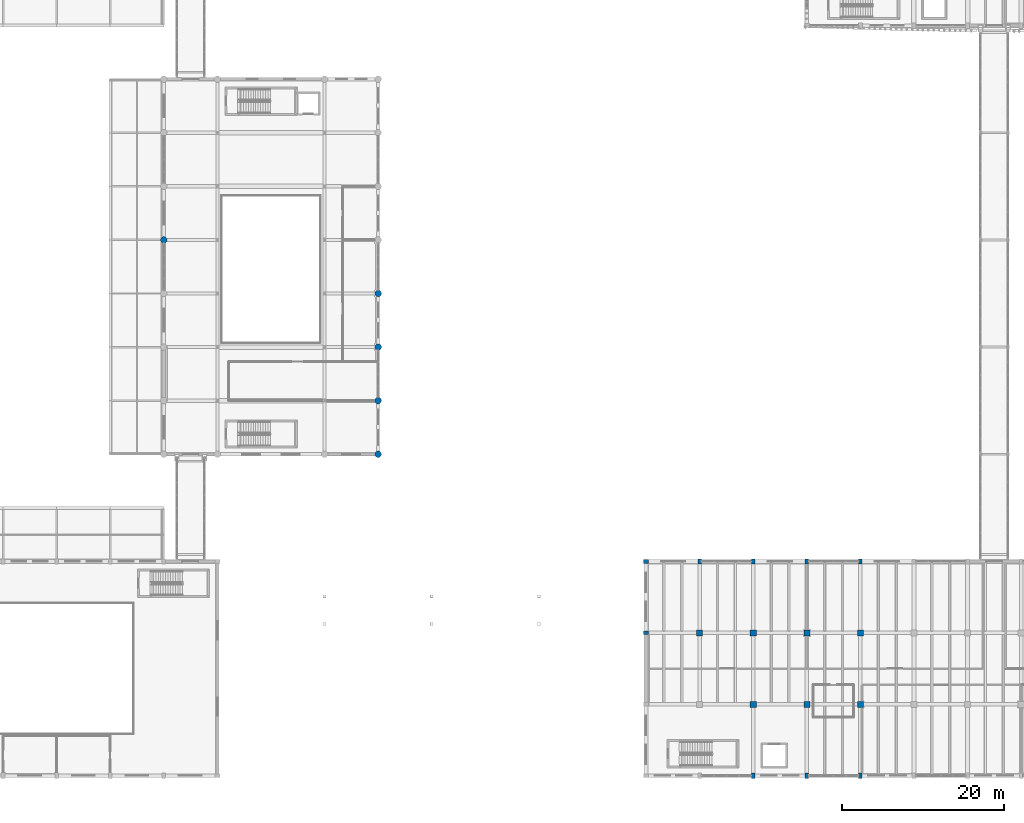
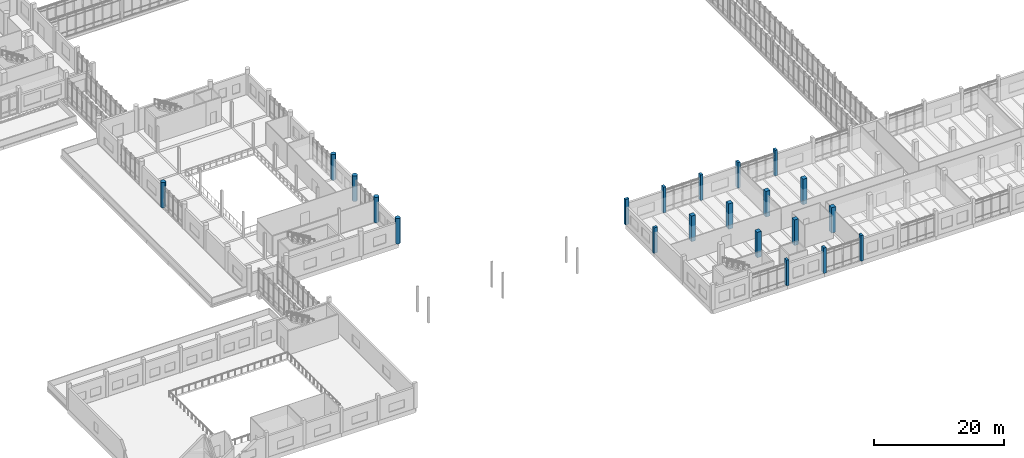
# One storey, part 5 of 125: 21 columns.
"""IFC4 building model written with IfcOpenShell, lengths in metres."""

import ifcopenshell
import ifcopenshell.guid

model = None  # the IFC model being written
_history = None  # IfcOwnerHistory: only IFC2X3 demands one
_inside = {}  # id of a spatial element -> (the spatial element, [elements in it])
_under = {}  # id of a project, library or spatial element -> (it, [spatial elements below it])
_declared = {}  # id of a project -> (the project, [libraries it declares])
_typed = {}  # id of a type object -> (the type object, [elements of that type])
_made_of = {}  # id of a material, layer set ... -> (it, [elements and type objects made of it])


def new_model(schema):
    """Start an empty IFC model of exactly this schema.

    Asked for "IFC4X3", IfcOpenShell would pick the latest addendum, in which some entities
    have other attributes; the version numbers below select the first issue.
    IFC2X3 requires an IfcOwnerHistory on every rooted entity: one is made here for all.
    """
    global model, _history
    if schema == "IFC4X3":
        model = ifcopenshell.file(schema_version=(4, 3, 0, 0))
    else:
        model = ifcopenshell.file(schema=schema)
    _inside.clear()
    _under.clear()
    _declared.clear()
    _typed.clear()
    _made_of.clear()
    _history = None
    if model.schema == "IFC2X3":
        org = make("IfcOrganization", Name="unknown")
        user = make(
            "IfcPersonAndOrganization",
            ThePerson=make("IfcPerson", FamilyName="unknown"),
            TheOrganization=org,
        )
        app = make(
            "IfcApplication",
            ApplicationDeveloper=org,
            Version="unknown",
            ApplicationFullName="unknown",
            ApplicationIdentifier="unknown",
        )
        _history = make(
            "IfcOwnerHistory",
            OwningUser=user,
            OwningApplication=app,
            ChangeAction="ADDED",
            CreationDate=0,
        )
    return model


def make(cls, **values):
    """One entity of the class cls with the attributes given. An attribute that is None is left unset."""
    return model.create_entity(
        cls, **{name: value for name, value in values.items() if value is not None}
    )


def rooted(cls, **values):
    """An entity with a GlobalId (a new one), such as an element, a storey or a relation."""
    return make(cls, GlobalId=ifcopenshell.guid.new(), OwnerHistory=_history, **values)


def si_unit(unit_type, name, prefix=None):
    """IfcSIUnit, for example si_unit("LENGTHUNIT", "METRE", prefix="MILLI")."""
    return make("IfcSIUnit", UnitType=unit_type, Prefix=prefix, Name=name)


def assignment(units):
    """IfcUnitAssignment: the units of a project."""
    return None if units is None else make("IfcUnitAssignment", Units=units)


def point(xyz):
    """IfcCartesianPoint."""
    return None if xyz is None else make("IfcCartesianPoint", Coordinates=xyz)


def direction(xyz):
    """IfcDirection."""
    return None if xyz is None else make("IfcDirection", DirectionRatios=xyz)


def frame(location, z_axis=None, x_axis=None):
    """IfcAxis2Placement3D, a coordinate frame: its origin and axes. An axis left out is left unset."""
    return make(
        "IfcAxis2Placement3D",
        Location=point(location),
        Axis=direction(z_axis),
        RefDirection=direction(x_axis),
    )


def frame_2d(location, x_axis=None):
    """IfcAxis2Placement2D, a coordinate frame in the plane: its origin and x axis."""
    return make(
        "IfcAxis2Placement2D", Location=point(location), RefDirection=direction(x_axis)
    )


def origin():
    """The frame at (0, 0, 0) with its axes left unset."""
    return frame((0.0, 0.0, 0.0))


def origin_2d():
    """The frame at (0, 0) in the plane with its x axis left unset."""
    return frame_2d((0.0, 0.0))


def place(relative_to, where):
    """IfcLocalPlacement: puts the frame where relative to a parent placement (None: the world)."""
    return make(
        "IfcLocalPlacement", PlacementRelTo=relative_to, RelativePlacement=where
    )


def context(
    kind, dimensions, precision=None, world=None, true_north=None, identifier=None
):
    """IfcGeometricRepresentationContext, for example the 3D "Model" context."""
    return make(
        "IfcGeometricRepresentationContext",
        ContextIdentifier=identifier,
        ContextType=kind,
        CoordinateSpaceDimension=dimensions,
        Precision=precision,
        WorldCoordinateSystem=world,
        TrueNorth=true_north,
    )


def subcontext(parent, identifier, kind, view, scale=None):
    """IfcGeometricRepresentationSubContext, for example "Body" below "Model"."""
    return make(
        "IfcGeometricRepresentationSubContext",
        ContextIdentifier=identifier,
        ContextType=kind,
        ParentContext=parent,
        TargetScale=scale,
        TargetView=view,
    )


def project(units=None, contexts=None):
    """IfcProject with its units and contexts."""
    return rooted(
        "IfcProject",
        Name="project",
        RepresentationContexts=contexts,
        UnitsInContext=assignment(units),
    )


def spatial(cls, under=None, at=None, **own):
    """A site, building, storey or space (cls), placed at a placement, below another one or the project."""
    s = rooted(cls, ObjectPlacement=at, **own)
    if under is not None:
        _under.setdefault(under.id(), (under, []))[1].append(s)
    return s


def profile(cls, at=None, kind="AREA", **sizes):
    """A parametric profile (cls). Its sizes go by their IFC names, for example OverallWidth=200.0."""
    return make(cls, ProfileType=kind, Position=at, **sizes)


def rectangle(**sizes):
    """IfcRectangleProfileDef."""
    return profile("IfcRectangleProfileDef", **sizes)


def circle(**sizes):
    """IfcCircleProfileDef."""
    return profile("IfcCircleProfileDef", **sizes)


def extrude(swept, where, along, depth):
    """IfcExtrudedAreaSolid: the profile swept, set in the frame where, extruded along a direction by depth."""
    return make(
        "IfcExtrudedAreaSolid",
        SweptArea=swept,
        Position=where,
        ExtrudedDirection=direction(along),
        Depth=depth,
    )


def shape(context_of_items, identifier, shape_type, items):
    """IfcShapeRepresentation: the items that make up one representation, for example the "Body"."""
    return make(
        "IfcShapeRepresentation",
        ContextOfItems=context_of_items,
        RepresentationIdentifier=identifier,
        RepresentationType=shape_type,
        Items=items,
    )


def material(Name=None, Category=None):
    """IfcMaterial."""
    return make("IfcMaterial", Name=Name, Category=Category)


def material_profile(
    of_material, cross_section, Name=None, Category=None, Priority=None
):
    """IfcMaterialProfile: a cross section and its material."""
    return make(
        "IfcMaterialProfile",
        Name=Name,
        Material=of_material,
        Profile=cross_section,
        Priority=Priority,
        Category=Category,
    )


def profile_set(profiles, Name=None, composite=None):
    """IfcMaterialProfileSet."""
    return make(
        "IfcMaterialProfileSet",
        Name=Name,
        MaterialProfiles=profiles,
        CompositeProfile=composite,
    )


def made_of(thing, what):
    """Note that an element or type object is made of a material, layer set ...; save() writes the relation."""
    if what is not None:
        _made_of.setdefault(what.id(), (what, []))[1].append(thing)
    return thing


def type_object(cls, material=None, **own):
    """A type object (cls), such as IfcWallType, which elements share."""
    return made_of(rooted(cls, **own), material)


def element(
    cls,
    number,
    at=None,
    inside=None,
    cuts=None,
    type_object=None,
    material=None,
    context=None,
    identifier="Body",
    shape_type=None,
    held_by="IfcProductDefinitionShape",
    body=None,
    shapes=None,
    **own,
):
    """One element of the class cls, such as IfcWall. Its Tag is "e" and its number.

    at: its placement. inside: the storey or other place that contains it. cuts: it is an
    opening in that element (IfcRelVoidsElement). A single representation is given by context,
    identifier, shape_type and body (its items); several are given by shapes. held_by: the class
    of the entity that holds the representations. save() writes the other relations.
    """
    e = rooted(cls, Tag="e%d" % number, ObjectPlacement=at, **own)
    if body is not None:
        shapes = [shape(context, identifier, shape_type, body)]
    if shapes is not None:
        e.Representation = make(held_by, Representations=shapes)
    if inside is not None:
        _inside.setdefault(inside.id(), (inside, []))[1].append(e)
    if cuts is not None:
        rooted(
            "IfcRelVoidsElement", RelatingBuildingElement=cuts, RelatedOpeningElement=e
        )
    if type_object is not None:
        _typed.setdefault(type_object.id(), (type_object, []))[1].append(e)
    return made_of(e, material)


def aggregate(whole, parts):
    """IfcRelAggregates: a whole, such as a stair, and the parts it consists of."""
    return rooted("IfcRelAggregates", RelatingObject=whole, RelatedObjects=parts)


def save(model, path):
    """Write the relations noted so far, then the file.

    IfcRelAggregates (storeys below a building ...), IfcRelContainedInSpatialStructure (elements
    in a storey), IfcRelDefinesByType, IfcRelAssociatesMaterial and IfcRelDeclares: one each for
    every whole, place, type object, material and project.
    """
    for whole, parts in _under.values():
        aggregate(whole, parts)
    for where, things in _inside.values():
        rooted(
            "IfcRelContainedInSpatialStructure",
            RelatedElements=things,
            RelatingStructure=where,
        )
    for kind, things in _typed.values():
        rooted("IfcRelDefinesByType", RelatedObjects=things, RelatingType=kind)
    for what, things in _made_of.values():
        rooted("IfcRelAssociatesMaterial", RelatedObjects=things, RelatingMaterial=what)
    for by, libraries in _declared.values():
        rooted("IfcRelDeclares", RelatingContext=by, RelatedDefinitions=libraries)
    model.write(path)


model = new_model("IFC4")

# Units and contexts
model_context = context("Model", 3, precision=1e-05, world=origin(), true_north=direction((0.0, 1.0)))
body_context = subcontext(model_context, "Body", "Model", "MODEL_VIEW")
ifc_project = project(units=[si_unit("LENGTHUNIT", "METRE"), si_unit("AREAUNIT", "SQUARE_METRE"), si_unit("VOLUMEUNIT", "CUBIC_METRE"), si_unit("PLANEANGLEUNIT", "RADIAN"), si_unit("MASSUNIT", "GRAM", prefix="KILO")], contexts=[model_context])

# Site, building, storey
site_placement = place(None, origin())
site = spatial("IfcSite", under=ifc_project, at=site_placement, CompositionType="ELEMENT")
building_placement = place(site_placement, origin())
building = spatial("IfcBuilding", under=site, at=building_placement, Name="Dornvale Research Institute", CompositionType="ELEMENT")
storey_placement = place(building_placement, frame((0.0, 0.0, 5.39990234375)))
storey = spatial("IfcBuildingStorey", under=building, at=storey_placement, Name="L01", CompositionType="ELEMENT", Elevation=5.39990234375)

# Columns
ifc_material_1 = material(Name="Concrete f'c 50 MPa (C40/50)", Category="concrete")
ifc_material_profile_1 = material_profile(ifc_material_1, rectangle(XDim=0.75, YDim=0.75, at=origin_2d()), Name="RC 750x750")
ifc_profile_set_1 = profile_set([ifc_material_profile_1], Name="Concrete f'c 50 MPa (C40/50)")
column_type_1 = type_object("IfcColumnType", Name="Column_RC750", PredefinedType="COLUMN", material=ifc_profile_set_1)
for number, where, z_axis, x_axis, name in (
    (1, (105.60009765625, 17.60009765625, 0.0), (0.0, 0.0, 1.0), (1.0, 0.0, 0.0), "L01 column #836"),
    (2, (112.199951171875, 8.800048828125, 0.0), (0.0, 0.0, 1.0), (1.0, 0.0, 0.0), "L01 column #839"),
    (3, (112.199951171875, 17.60009765625, 0.0), (0.0, 0.0, 1.0), (1.0, 0.0, 0.0), "L01 column #840"),
    (4, (118.800048828125, 8.800048828125, 0.0), (0.0, 0.0, 1.0), (1.0, 0.0, 0.0), "L01 column #843"),
    (5, (118.800048828125, 17.60009765625, 0.0), (0.0, 0.0, 1.0), (1.0, 0.0, 0.0), "L01 column #844"),
    (6, (125.39990234375, 8.800048828125, 0.0), (0.0, 0.0, 1.0), (1.0, 0.0, 0.0), "L01 column #847"),
    (7, (125.39990234375, 17.60009765625, 0.0), (0.0, 0.0, 1.0), (1.0, 0.0, 0.0), "L01 column #848"),
):
    element("IfcColumn", number, at=place(storey_placement, frame(where, z_axis=z_axis, x_axis=x_axis)), inside=storey, type_object=column_type_1, Name=name, PredefinedType="COLUMN", context=body_context, shape_type="SweptSolid", body=[
        extrude(rectangle(XDim=0.75, YDim=0.75, at=origin_2d()), origin(), (0.0, 0.0, 1.0), 4.800048828125),
    ])
ifc_material_2 = material(Name="Concrete f'c 45 MPa (C35/45)", Category="concrete")
ifc_material_profile_2 = material_profile(ifc_material_2, circle(Radius=0.39990234375, at=origin_2d()), Name="RC DIA 800")
ifc_profile_set_2 = profile_set([ifc_material_profile_2], Name="Concrete f'c 45 MPa (C35/45)")
column_type_2 = type_object("IfcColumnType", Name="Column_RCDia800_Ext", PredefinedType="COLUMN", material=ifc_profile_set_2)
for number, where, z_axis, x_axis, name in (
    (8, (39.60009765625, 66.0, 0.0), (0.0, 0.0, 1.0), (1.0, 0.0, 0.0), "L01 column #1054"),
    (9, (66.0, 39.60009765625, 0.0), (0.0, 0.0, 1.0), (1.0, 0.0, 0.0), "L01 column #1074"),
    (10, (66.0, 46.199951171875, 0.0), (0.0, 0.0, 1.0), (1.0, 0.0, 0.0), "L01 column #1075"),
    (11, (66.0, 52.800048828125, 0.0), (0.0, 0.0, 1.0), (1.0, 0.0, 0.0), "L01 column #1076"),
    (12, (66.0, 59.39990234375, 0.0), (0.0, 0.0, 1.0), (1.0, 0.0, 0.0), "L01 column #1077"),
):
    element("IfcColumn", number, at=place(storey_placement, frame(where, z_axis=z_axis, x_axis=x_axis)), inside=storey, type_object=column_type_2, Name=name, PredefinedType="COLUMN", context=body_context, shape_type="SweptSolid", body=[
        extrude(circle(Radius=0.39990234375, at=origin_2d()), origin(), (0.0, 0.0, 1.0), 4.800048828125),
    ])
ifc_material_3 = material(Name="Concrete f'c 45 MPa (C35/45)", Category="concrete")
ifc_material_profile_3 = material_profile(ifc_material_3, rectangle(XDim=0.449951171875, YDim=0.64990234375, at=origin_2d()), Name="RC 450x650")
ifc_profile_set_3 = profile_set([ifc_material_profile_3], Name="Concrete f'c 45 MPa (C35/45)")
column_type_3 = type_object("IfcColumnType", Name="Pilaster_RC450x650_Ext", PredefinedType="PILASTER", material=ifc_profile_set_3)
for number, where, z_axis, x_axis, name in (
    (13, (99.0, 17.60009765625, 0.0), (0.0, 0.0, 1.0), (0.0, 1.0, 0.0), "L01 column #832"),
    (14, (99.0, 26.39990234375, 0.0), (0.0, 0.0, 1.0), (0.0, 1.0, 0.0), "L01 column #833"),
    (15, (105.60009765625, 26.39990234375, 0.0), (0.0, 0.0, 1.0), (1.0, 0.0, 0.0), "L01 column #837"),
    (16, (112.199951171875, 0.0, 0.0), (0.0, 0.0, 1.0), (1.0, 0.0, 0.0), "L01 column #838"),
    (17, (112.199951171875, 26.39990234375, 0.0), (0.0, 0.0, 1.0), (1.0, 0.0, 0.0), "L01 column #841"),
    (18, (118.800048828125, 0.0, 0.0), (0.0, 0.0, 1.0), (1.0, 0.0, 0.0), "L01 column #842"),
    (19, (118.800048828125, 26.39990234375, 0.0), (0.0, 0.0, 1.0), (1.0, 0.0, 0.0), "L01 column #845"),
    (20, (125.39990234375, 0.0, 0.0), (0.0, 0.0, 1.0), (1.0, 0.0, 0.0), "L01 column #846"),
    (21, (125.39990234375, 26.39990234375, 0.0), (0.0, 0.0, 1.0), (1.0, 0.0, 0.0), "L01 column #849"),
):
    element("IfcColumn", number, at=place(storey_placement, frame(where, z_axis=z_axis, x_axis=x_axis)), inside=storey, type_object=column_type_3, Name=name, PredefinedType="PILASTER", context=body_context, shape_type="SweptSolid", body=[
        extrude(rectangle(XDim=0.449951171875, YDim=0.64990234375, at=origin_2d()), origin(), (0.0, 0.0, 1.0), 4.800048828125),
    ])

save(model, "model.ifc")
